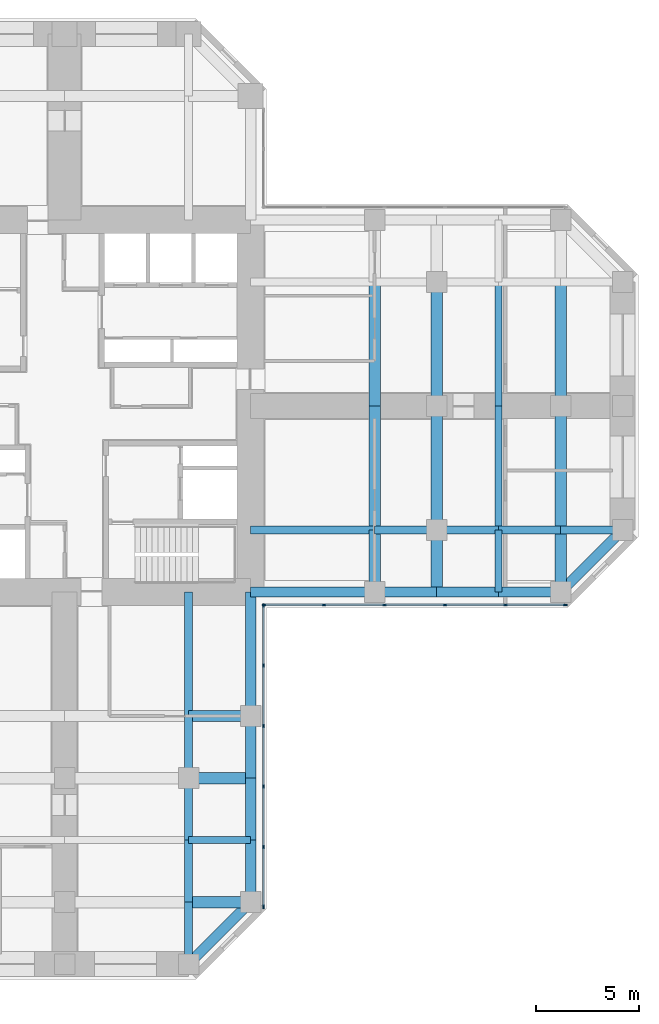
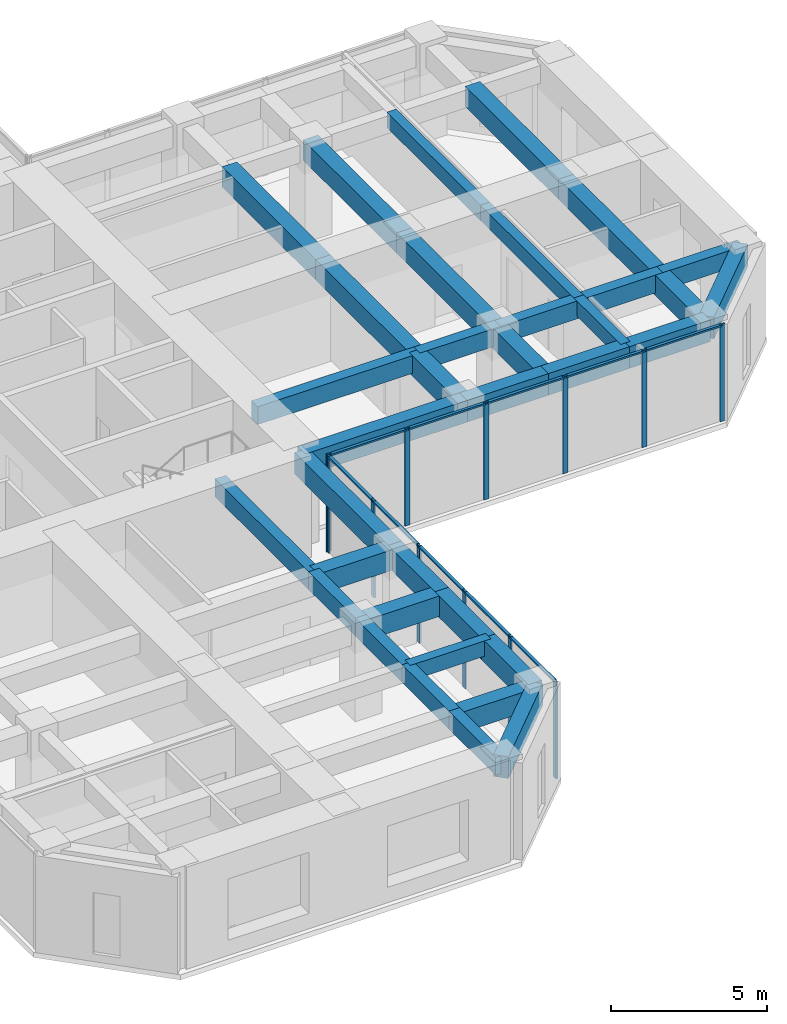
# One storey, part 4 of 12: 36 beams, 22 members, 2 elements without a shape of their own.
"""IFC4 building model written with IfcOpenShell, lengths in metres."""

from ifc_helpers import new_model, si_unit, direction, frame, origin, origin_2d, place, context, subcontext, project, spatial, rectangle, extrude, material, material_profile, profile_set, type_object, element, aggregate, save


model = new_model("IFC4")

# Units and contexts
model_context = context("Model", 3, precision=1e-05, world=origin(), true_north=direction((0.0, 1.0)))
body_context = subcontext(model_context, "Body", "Model", "MODEL_VIEW")
ifc_project = project(units=[si_unit("LENGTHUNIT", "METRE"), si_unit("AREAUNIT", "SQUARE_METRE"), si_unit("VOLUMEUNIT", "CUBIC_METRE"), si_unit("PLANEANGLEUNIT", "RADIAN"), si_unit("MASSUNIT", "GRAM", prefix="KILO")], contexts=[model_context])

# Site, building, storey
site_placement = place(None, origin())
site = spatial("IfcSite", under=ifc_project, at=site_placement, CompositionType="ELEMENT")
building_placement = place(site_placement, origin())
building = spatial("IfcBuilding", under=site, at=building_placement, Name="Torre Cruceta", CompositionType="ELEMENT")
storey_placement = place(building_placement, frame((0.0, 0.0, 104.5)))
storey = spatial("IfcBuildingStorey", under=building, at=storey_placement, Name="L25", CompositionType="ELEMENT", Elevation=104.5)

# Beams
ifc_material_1 = material(Name="Concrete G60 (fck 60 MPa)", Category="concrete")
ifc_material_profile_1 = material_profile(ifc_material_1, rectangle(XDim=0.39990234375, YDim=0.699951171875, at=origin_2d()), Name="RC 400X700")
ifc_profile_set_1 = profile_set([ifc_material_profile_1], Name="Concrete G60 (fck 60 MPa)")
beam_type_1 = type_object("IfcBeamType", Name="COLUMN LINE BEAM RC 400X700", PredefinedType="BEAM", material=ifc_profile_set_1)
beam_1_placement = place(storey_placement, frame((9.0, -6.0, 3.449951171875), z_axis=(1.0, 0.0, 0.0), x_axis=(0.0, 1.0, 0.0)))
element("IfcBeam", 1, at=beam_1_placement, inside=storey, type_object=beam_type_1, Name="LB5 L25 E col- 1", PredefinedType="BEAM", context=body_context, shape_type="SweptSolid", body=[
    extrude(rectangle(XDim=0.39990234375, YDim=0.699951171875, at=origin_2d()), origin(), (0.0, 0.0, 1.0), 6.0),
])
for number, where, z_axis, x_axis, name in (
    (2, (15.0, -6.0, 3.449951171875), (1.0, 0.0, 0.0), (0.0, 1.0, 0.0), "LB5 L25 E col- 2"),
    (3, (18.0, -6.0, 3.449951171875), (1.0, 0.0, 0.0), (0.0, 1.0, 0.0), "LB5 L25 E col- 3"),
    (4, (21.0, -6.0, 3.449951171875), (1.0, 0.0, 0.0), (0.0, 1.0, 0.0), "LB5 L25 E col- 4"),
    (5, (24.0, -6.0, 3.449951171875), (1.0, 0.0, 0.0), (0.0, 1.0, 0.0), "LB5 L25 E col- 5"),
):
    element("IfcBeam", number, at=place(storey_placement, frame(where, z_axis=z_axis, x_axis=x_axis)), inside=storey, type_object=beam_type_1, Name=name, PredefinedType="BEAM", context=body_context, shape_type="SweptSolid", body=[
        extrude(rectangle(XDim=0.39990234375, YDim=0.699951171875, at=origin_2d()), origin(), (0.0, 0.0, 1.0), 3.0),
    ])
beam_2_placement = place(storey_placement, frame((6.0, -9.0, 3.449951171875), z_axis=(0.0, -1.0, 0.0), x_axis=(1.0, 0.0, 0.0)))
element("IfcBeam", 6, at=beam_2_placement, inside=storey, type_object=beam_type_1, Name="LB5 L25 S col+ 1", PredefinedType="BEAM", context=body_context, shape_type="SweptSolid", body=[
    extrude(rectangle(XDim=0.39990234375, YDim=0.699951171875, at=origin_2d()), origin(), (0.0, 0.0, 1.0), 6.0),
])
for number, where, z_axis, x_axis, name in (
    (7, (6.0, -15.0, 3.449951171875), (0.0, -1.0, 0.0), (1.0, 0.0, 0.0), "LB5 L25 S col+ 2"),
    (8, (6.0, -18.0, 3.449951171875), (0.0, -1.0, 0.0), (1.0, 0.0, 0.0), "LB5 L25 S col+ 3"),
    (9, (6.0, -21.0, 3.449951171875), (0.0, -1.0, 0.0), (1.0, 0.0, 0.0), "LB5 L25 S col+ 4"),
    (10, (6.0, -24.0, 3.449951171875), (0.0, -1.0, 0.0), (1.0, 0.0, 0.0), "LB5 L25 S col+ 5"),
):
    element("IfcBeam", number, at=place(storey_placement, frame(where, z_axis=z_axis, x_axis=x_axis)), inside=storey, type_object=beam_type_1, Name=name, PredefinedType="BEAM", context=body_context, shape_type="SweptSolid", body=[
        extrude(rectangle(XDim=0.39990234375, YDim=0.699951171875, at=origin_2d()), origin(), (0.0, 0.0, 1.0), 3.0),
    ])
ifc_material_2 = material(Name="Concrete G60 (fck 60 MPa)", Category="concrete")
ifc_material_profile_2 = material_profile(ifc_material_2, rectangle(XDim=0.550048828125, YDim=0.800048828125, at=origin_2d()), Name="RC 550X800")
ifc_profile_set_2 = profile_set([ifc_material_profile_2], Name="Concrete G60 (fck 60 MPa)")
beam_type_2 = type_object("IfcBeamType", Name="CROSS BEAM RC 550X800", PredefinedType="BEAM", material=ifc_profile_set_2)
beam_3_placement = place(storey_placement, frame((15.0, -9.0, 3.39990234375), z_axis=(0.0, 1.0, 0.0), x_axis=(-1.0, 0.0, 0.0)))
element("IfcBeam", 11, at=beam_3_placement, inside=storey, type_object=beam_type_2, Name="GB5 L25 E cross15 1", PredefinedType="BEAM", context=body_context, shape_type="SweptSolid", body=[
    extrude(rectangle(XDim=0.550048828125, YDim=0.800048828125, at=origin_2d()), origin(), (0.0, 0.0, 1.0), 3.0),
])
for number, where, z_axis, x_axis, name in (
    (12, (15.0, -6.0, 3.39990234375), (0.0, 1.0, 0.0), (-1.0, 0.0, 0.0), "GB5 L25 E cross15 2"),
    (13, (15.0, 0.0, 3.39990234375), (0.0, 1.0, 0.0), (-1.0, 0.0, 0.0), "GB5 L25 E cross15 3"),
):
    element("IfcBeam", number, at=place(storey_placement, frame(where, z_axis=z_axis, x_axis=x_axis)), inside=storey, type_object=beam_type_2, Name=name, PredefinedType="BEAM", context=body_context, shape_type="SweptSolid", body=[
        extrude(rectangle(XDim=0.550048828125, YDim=0.800048828125, at=origin_2d()), origin(), (0.0, 0.0, 1.0), 6.0),
    ])
beam_4_placement = place(storey_placement, frame((18.0, -9.0, 3.39990234375), z_axis=(0.0, 1.0, 0.0), x_axis=(-1.0, 0.0, 0.0)))
element("IfcBeam", 14, at=beam_4_placement, inside=storey, type_object=beam_type_2, Name="GB5 L25 E cross18 1", PredefinedType="BEAM", context=body_context, shape_type="SweptSolid", body=[
    extrude(rectangle(XDim=0.550048828125, YDim=0.800048828125, at=origin_2d()), origin(), (0.0, 0.0, 1.0), 3.0),
])
for number, where, z_axis, x_axis, name in (
    (15, (18.0, -6.0, 3.39990234375), (0.0, 1.0, 0.0), (-1.0, 0.0, 0.0), "GB5 L25 E cross18 2"),
    (16, (18.0, 0.0, 3.39990234375), (0.0, 1.0, 0.0), (-1.0, 0.0, 0.0), "GB5 L25 E cross18 3"),
):
    element("IfcBeam", number, at=place(storey_placement, frame(where, z_axis=z_axis, x_axis=x_axis)), inside=storey, type_object=beam_type_2, Name=name, PredefinedType="BEAM", context=body_context, shape_type="SweptSolid", body=[
        extrude(rectangle(XDim=0.550048828125, YDim=0.800048828125, at=origin_2d()), origin(), (0.0, 0.0, 1.0), 6.0),
    ])
beam_5_placement = place(storey_placement, frame((24.0, -9.0, 3.39990234375), z_axis=(0.0, 1.0, 0.0), x_axis=(-1.0, 0.0, 0.0)))
element("IfcBeam", 17, at=beam_5_placement, inside=storey, type_object=beam_type_2, Name="GB5 L25 E cross24 1", PredefinedType="BEAM", context=body_context, shape_type="SweptSolid", body=[
    extrude(rectangle(XDim=0.550048828125, YDim=0.800048828125, at=origin_2d()), origin(), (0.0, 0.0, 1.0), 3.0),
])
for number, where, z_axis, x_axis, name in (
    (18, (24.0, -6.0, 3.39990234375), (0.0, 1.0, 0.0), (-1.0, 0.0, 0.0), "GB5 L25 E cross24 2"),
    (19, (24.0, 0.0, 3.39990234375), (0.0, 1.0, 0.0), (-1.0, 0.0, 0.0), "GB5 L25 E cross24 3"),
):
    element("IfcBeam", number, at=place(storey_placement, frame(where, z_axis=z_axis, x_axis=x_axis)), inside=storey, type_object=beam_type_2, Name=name, PredefinedType="BEAM", context=body_context, shape_type="SweptSolid", body=[
        extrude(rectangle(XDim=0.550048828125, YDim=0.800048828125, at=origin_2d()), origin(), (0.0, 0.0, 1.0), 6.0),
    ])
for number, where, z_axis, x_axis, name in (
    (20, (6.0, -15.0, 3.39990234375), (1.0, 0.0, 0.0), (0.0, 1.0, 0.0), "GB5 L25 S cross15 4"),
    (21, (6.0, -18.0, 3.39990234375), (1.0, 0.0, 0.0), (0.0, 1.0, 0.0), "GB5 L25 S cross18 4"),
    (22, (6.0, -24.0, 3.39990234375), (1.0, 0.0, 0.0), (0.0, 1.0, 0.0), "GB5 L25 S cross24 4"),
):
    element("IfcBeam", number, at=place(storey_placement, frame(where, z_axis=z_axis, x_axis=x_axis)), inside=storey, type_object=beam_type_2, Name=name, PredefinedType="BEAM", context=body_context, shape_type="SweptSolid", body=[
        extrude(rectangle(XDim=0.550048828125, YDim=0.800048828125, at=origin_2d()), origin(), (0.0, 0.0, 1.0), 3.0),
    ])

# Curtain wall, members
ifc_material_3 = material(Name="Aluminium unitised curtain wall", Category="aluminium")
curtain_wall_type = type_object("IfcCurtainWallType", Name="CURTAIN WALL CW-B OFFICE MID RISE", PredefinedType="USERDEFINED", material=ifc_material_3)
curtain_wall_1_placement = place(storey_placement, origin())
curtain_wall_1 = element("IfcCurtainWall", 23, at=curtain_wall_1_placement, inside=storey, type_object=curtain_wall_type, Name="CW-B L25 E side 00", ObjectType="UNITISED", PredefinedType="USERDEFINED")
ifc_material_4 = material(Name="Aluminium mullion", Category="aluminium")
ifc_material_profile_3 = material_profile(ifc_material_4, rectangle(XDim=0.06494140625, YDim=0.179931640625, at=origin_2d()), Name="AL 65X180")
ifc_profile_set_3 = profile_set([ifc_material_profile_3], Name="Aluminium mullion")
member_type_1 = type_object("IfcMemberType", Name="CW-B MULLION 65X180", PredefinedType="MULLION", material=ifc_profile_set_3)
member_1_placement = place(storey_placement, frame((9.652587890625, -9.6201171875, 0.0), z_axis=(0.0, 0.0, 1.0), x_axis=(0.0, 1.0, 0.0)))
member_1 = element("IfcMember", 24, at=member_1_placement, type_object=member_type_1, Name="CW-B mullion 1", PredefinedType="MULLION", context=body_context, shape_type="SweptSolid", body=[
    extrude(rectangle(XDim=0.06494140625, YDim=0.179931640625, at=origin_2d()), origin(), (0.0, 0.0, 1.0), 3.800048828125),
])
member_2_placement = place(storey_placement, frame((12.54736328125, -9.6201171875, 0.0), z_axis=(0.0, 0.0, 1.0), x_axis=(0.0, 1.0, 0.0)))
member_2 = element("IfcMember", 25, at=member_2_placement, type_object=member_type_1, Name="CW-B mullion 2", PredefinedType="MULLION", context=body_context, shape_type="SweptSolid", body=[
    extrude(rectangle(XDim=0.06494140625, YDim=0.179931640625, at=origin_2d()), origin(), (0.0, 0.0, 1.0), 3.800048828125),
])
member_3_placement = place(storey_placement, frame((15.474609375, -9.6201171875, 0.0), z_axis=(0.0, 0.0, 1.0), x_axis=(0.0, 1.0, 0.0)))
member_3 = element("IfcMember", 26, at=member_3_placement, type_object=member_type_1, Name="CW-B mullion 3", PredefinedType="MULLION", context=body_context, shape_type="SweptSolid", body=[
    extrude(rectangle(XDim=0.06494140625, YDim=0.179931640625, at=origin_2d()), origin(), (0.0, 0.0, 1.0), 3.800048828125),
])
member_4_placement = place(storey_placement, frame((18.402099609375, -9.6201171875, 0.0), z_axis=(0.0, 0.0, 1.0), x_axis=(0.0, 1.0, 0.0)))
member_4 = element("IfcMember", 27, at=member_4_placement, type_object=member_type_1, Name="CW-B mullion 4", PredefinedType="MULLION", context=body_context, shape_type="SweptSolid", body=[
    extrude(rectangle(XDim=0.06494140625, YDim=0.179931640625, at=origin_2d()), origin(), (0.0, 0.0, 1.0), 3.800048828125),
])
member_5_placement = place(storey_placement, frame((21.329345703125, -9.6201171875, 0.0), z_axis=(0.0, 0.0, 1.0), x_axis=(0.0, 1.0, 0.0)))
member_5 = element("IfcMember", 28, at=member_5_placement, type_object=member_type_1, Name="CW-B mullion 5", PredefinedType="MULLION", context=body_context, shape_type="SweptSolid", body=[
    extrude(rectangle(XDim=0.06494140625, YDim=0.179931640625, at=origin_2d()), origin(), (0.0, 0.0, 1.0), 3.800048828125),
])
member_6_placement = place(storey_placement, frame((24.224365234375, -9.6201171875, 0.0), z_axis=(0.0, 0.0, 1.0), x_axis=(0.0, 1.0, 0.0)))
member_6 = element("IfcMember", 29, at=member_6_placement, type_object=member_type_1, Name="CW-B mullion 6", PredefinedType="MULLION", context=body_context, shape_type="SweptSolid", body=[
    extrude(rectangle(XDim=0.06494140625, YDim=0.179931640625, at=origin_2d()), origin(), (0.0, 0.0, 1.0), 3.800048828125),
])

curtain_wall_2_placement = place(storey_placement, origin())
curtain_wall_2 = element("IfcCurtainWall", 30, at=curtain_wall_2_placement, inside=storey, type_object=curtain_wall_type, Name="CW-B L25 S side 19", ObjectType="UNITISED", PredefinedType="USERDEFINED")
member_7_placement = place(storey_placement, frame((9.6201171875, -24.224365234375, 0.0), z_axis=(0.0, 0.0, 1.0), x_axis=(-1.0, 0.0, 0.0)))
member_7 = element("IfcMember", 31, at=member_7_placement, type_object=member_type_1, Name="CW-B mullion 1", PredefinedType="MULLION", context=body_context, shape_type="SweptSolid", body=[
    extrude(rectangle(XDim=0.06494140625, YDim=0.179931640625, at=origin_2d()), origin(), (0.0, 0.0, 1.0), 3.800048828125),
])
member_8_placement = place(storey_placement, frame((9.6201171875, -21.329345703125, 0.0), z_axis=(0.0, 0.0, 1.0), x_axis=(-1.0, 0.0, 0.0)))
member_8 = element("IfcMember", 32, at=member_8_placement, type_object=member_type_1, Name="CW-B mullion 2", PredefinedType="MULLION", context=body_context, shape_type="SweptSolid", body=[
    extrude(rectangle(XDim=0.06494140625, YDim=0.179931640625, at=origin_2d()), origin(), (0.0, 0.0, 1.0), 3.800048828125),
])
member_9_placement = place(storey_placement, frame((9.6201171875, -18.402099609375, 0.0), z_axis=(0.0, 0.0, 1.0), x_axis=(-1.0, 0.0, 0.0)))
member_9 = element("IfcMember", 33, at=member_9_placement, type_object=member_type_1, Name="CW-B mullion 3", PredefinedType="MULLION", context=body_context, shape_type="SweptSolid", body=[
    extrude(rectangle(XDim=0.06494140625, YDim=0.179931640625, at=origin_2d()), origin(), (0.0, 0.0, 1.0), 3.800048828125),
])
member_10_placement = place(storey_placement, frame((9.6201171875, -15.474609375, 0.0), z_axis=(0.0, 0.0, 1.0), x_axis=(-1.0, 0.0, 0.0)))
member_10 = element("IfcMember", 34, at=member_10_placement, type_object=member_type_1, Name="CW-B mullion 4", PredefinedType="MULLION", context=body_context, shape_type="SweptSolid", body=[
    extrude(rectangle(XDim=0.06494140625, YDim=0.179931640625, at=origin_2d()), origin(), (0.0, 0.0, 1.0), 3.800048828125),
])
member_11_placement = place(storey_placement, frame((9.6201171875, -12.54736328125, 0.0), z_axis=(0.0, 0.0, 1.0), x_axis=(-1.0, 0.0, 0.0)))
member_11 = element("IfcMember", 35, at=member_11_placement, type_object=member_type_1, Name="CW-B mullion 5", PredefinedType="MULLION", context=body_context, shape_type="SweptSolid", body=[
    extrude(rectangle(XDim=0.06494140625, YDim=0.179931640625, at=origin_2d()), origin(), (0.0, 0.0, 1.0), 3.800048828125),
])
member_12_placement = place(storey_placement, frame((9.6201171875, -9.652587890625, 0.0), z_axis=(0.0, 0.0, 1.0), x_axis=(-1.0, 0.0, 0.0)))
member_12 = element("IfcMember", 36, at=member_12_placement, type_object=member_type_1, Name="CW-B mullion 6", PredefinedType="MULLION", context=body_context, shape_type="SweptSolid", body=[
    extrude(rectangle(XDim=0.06494140625, YDim=0.179931640625, at=origin_2d()), origin(), (0.0, 0.0, 1.0), 3.800048828125),
])

# Member
ifc_material_5 = material(Name="Aluminium transom", Category="aluminium")
ifc_material_profile_4 = material_profile(ifc_material_5, rectangle(XDim=0.110107421875, YDim=0.06494140625, at=origin_2d()), Name="AL 110X65")
ifc_profile_set_4 = profile_set([ifc_material_profile_4], Name="Aluminium transom")
member_type_2 = type_object("IfcMemberType", Name="CW-B TRANSOM 65X110", PredefinedType="USERDEFINED", material=ifc_profile_set_4)
member_13_placement = place(storey_placement, frame((9.68505859375, -9.6201171875, 3.767578125), z_axis=(1.0, 0.0, 0.0), x_axis=(0.0, 1.0, 0.0)))
member_13 = element("IfcMember", 37, at=member_13_placement, type_object=member_type_2, Name="CW-B transom 1", ObjectType="TRANSOM", PredefinedType="USERDEFINED", context=body_context, shape_type="SweptSolid", body=[
    extrude(rectangle(XDim=0.110107421875, YDim=0.06494140625, at=origin_2d()), origin(), (0.0, 0.0, 1.0), 2.829833984375),
])

member_14_placement = place(storey_placement, frame((12.579833984375, -9.6201171875, 3.767578125), z_axis=(1.0, 0.0, 0.0), x_axis=(0.0, 1.0, 0.0)))
member_14 = element("IfcMember", 38, at=member_14_placement, type_object=member_type_2, Name="CW-B transom 2", ObjectType="TRANSOM", PredefinedType="USERDEFINED", context=body_context, shape_type="SweptSolid", body=[
    extrude(rectangle(XDim=0.110107421875, YDim=0.06494140625, at=origin_2d()), origin(), (0.0, 0.0, 1.0), 2.8623046875),
])

member_15_placement = place(storey_placement, frame((15.50732421875, -9.6201171875, 3.767578125), z_axis=(1.0, 0.0, 0.0), x_axis=(0.0, 1.0, 0.0)))
member_15 = element("IfcMember", 39, at=member_15_placement, type_object=member_type_2, Name="CW-B transom 3", ObjectType="TRANSOM", PredefinedType="USERDEFINED", context=body_context, shape_type="SweptSolid", body=[
    extrude(rectangle(XDim=0.110107421875, YDim=0.06494140625, at=origin_2d()), origin(), (0.0, 0.0, 1.0), 2.8623046875),
])

member_16_placement = place(storey_placement, frame((18.4345703125, -9.6201171875, 3.767578125), z_axis=(1.0, 0.0, 0.0), x_axis=(0.0, 1.0, 0.0)))
member_16 = element("IfcMember", 40, at=member_16_placement, type_object=member_type_2, Name="CW-B transom 4", ObjectType="TRANSOM", PredefinedType="USERDEFINED", context=body_context, shape_type="SweptSolid", body=[
    extrude(rectangle(XDim=0.110107421875, YDim=0.06494140625, at=origin_2d()), origin(), (0.0, 0.0, 1.0), 2.8623046875),
])

member_17_placement = place(storey_placement, frame((21.362060546875, -9.6201171875, 3.767578125), z_axis=(1.0, 0.0, 0.0), x_axis=(0.0, 1.0, 0.0)))
member_17 = element("IfcMember", 41, at=member_17_placement, type_object=member_type_2, Name="CW-B transom 5", ObjectType="TRANSOM", PredefinedType="USERDEFINED", context=body_context, shape_type="SweptSolid", body=[
    extrude(rectangle(XDim=0.110107421875, YDim=0.06494140625, at=origin_2d()), origin(), (0.0, 0.0, 1.0), 2.829833984375),
])

aggregate(curtain_wall_1, [member_1, member_2, member_3, member_4, member_5, member_6, member_13, member_14, member_15, member_16, member_17])

member_18_placement = place(storey_placement, frame((9.6201171875, -24.19189453125, 3.767578125), z_axis=(0.0, 1.0, 0.0), x_axis=(-1.0, 0.0, 0.0)))
member_18 = element("IfcMember", 42, at=member_18_placement, type_object=member_type_2, Name="CW-B transom 1", ObjectType="TRANSOM", PredefinedType="USERDEFINED", context=body_context, shape_type="SweptSolid", body=[
    extrude(rectangle(XDim=0.110107421875, YDim=0.06494140625, at=origin_2d()), origin(), (0.0, 0.0, 1.0), 2.829833984375),
])

member_19_placement = place(storey_placement, frame((9.6201171875, -21.296875, 3.767578125), z_axis=(0.0, 1.0, 0.0), x_axis=(-1.0, 0.0, 0.0)))
member_19 = element("IfcMember", 43, at=member_19_placement, type_object=member_type_2, Name="CW-B transom 2", ObjectType="TRANSOM", PredefinedType="USERDEFINED", context=body_context, shape_type="SweptSolid", body=[
    extrude(rectangle(XDim=0.110107421875, YDim=0.06494140625, at=origin_2d()), origin(), (0.0, 0.0, 1.0), 2.8623046875),
])

member_20_placement = place(storey_placement, frame((9.6201171875, -18.36962890625, 3.767578125), z_axis=(0.0, 1.0, 0.0), x_axis=(-1.0, 0.0, 0.0)))
member_20 = element("IfcMember", 44, at=member_20_placement, type_object=member_type_2, Name="CW-B transom 3", ObjectType="TRANSOM", PredefinedType="USERDEFINED", context=body_context, shape_type="SweptSolid", body=[
    extrude(rectangle(XDim=0.110107421875, YDim=0.06494140625, at=origin_2d()), origin(), (0.0, 0.0, 1.0), 2.8623046875),
])

member_21_placement = place(storey_placement, frame((9.6201171875, -15.442138671875, 3.767578125), z_axis=(0.0, 1.0, 0.0), x_axis=(-1.0, 0.0, 0.0)))
member_21 = element("IfcMember", 45, at=member_21_placement, type_object=member_type_2, Name="CW-B transom 4", ObjectType="TRANSOM", PredefinedType="USERDEFINED", context=body_context, shape_type="SweptSolid", body=[
    extrude(rectangle(XDim=0.110107421875, YDim=0.06494140625, at=origin_2d()), origin(), (0.0, 0.0, 1.0), 2.8623046875),
])

member_22_placement = place(storey_placement, frame((9.6201171875, -12.514892578125, 3.767578125), z_axis=(0.0, 1.0, 0.0), x_axis=(-1.0, 0.0, 0.0)))
member_22 = element("IfcMember", 46, at=member_22_placement, type_object=member_type_2, Name="CW-B transom 5", ObjectType="TRANSOM", PredefinedType="USERDEFINED", context=body_context, shape_type="SweptSolid", body=[
    extrude(rectangle(XDim=0.110107421875, YDim=0.06494140625, at=origin_2d()), origin(), (0.0, 0.0, 1.0), 2.829833984375),
])

aggregate(curtain_wall_2, [member_7, member_8, member_9, member_10, member_11, member_12, member_18, member_19, member_20, member_21, member_22])

# Beams
ifc_material_6 = material(Name="Concrete G60 (fck 60 MPa)", Category="concrete")
ifc_material_profile_5 = material_profile(ifc_material_6, rectangle(XDim=0.35009765625, YDim=0.60009765625, at=origin_2d()), Name="RC 350X600")
ifc_profile_set_5 = profile_set([ifc_material_profile_5], Name="Concrete G60 (fck 60 MPa)")
beam_type_3 = type_object("IfcBeamType", Name="SECONDARY BEAM RC 350X600", PredefinedType="JOIST", material=ifc_profile_set_5)
beam_6_placement = place(storey_placement, frame((21.0, -9.0, 3.5), z_axis=(0.0, 1.0, 0.0), x_axis=(-1.0, 0.0, 0.0)))
element("IfcBeam", 47, at=beam_6_placement, inside=storey, type_object=beam_type_3, Name="JB5 L25 E sec21 1", PredefinedType="JOIST", context=body_context, shape_type="SweptSolid", body=[
    extrude(rectangle(XDim=0.35009765625, YDim=0.60009765625, at=origin_2d()), origin(), (0.0, 0.0, 1.0), 3.0),
])
for number, where, z_axis, x_axis, name in (
    (48, (21.0, -6.0, 3.5), (0.0, 1.0, 0.0), (-1.0, 0.0, 0.0), "JB5 L25 E sec21 2"),
    (49, (21.0, 0.0, 3.5), (0.0, 1.0, 0.0), (-1.0, 0.0, 0.0), "JB5 L25 E sec21 3"),
):
    element("IfcBeam", number, at=place(storey_placement, frame(where, z_axis=z_axis, x_axis=x_axis)), inside=storey, type_object=beam_type_3, Name=name, PredefinedType="JOIST", context=body_context, shape_type="SweptSolid", body=[
        extrude(rectangle(XDim=0.35009765625, YDim=0.60009765625, at=origin_2d()), origin(), (0.0, 0.0, 1.0), 6.0),
    ])
beam_7_placement = place(storey_placement, frame((6.0, -21.0, 3.5), z_axis=(1.0, 0.0, 0.0), x_axis=(0.0, 1.0, 0.0)))
element("IfcBeam", 50, at=beam_7_placement, inside=storey, type_object=beam_type_3, Name="JB5 L25 S sec21 4", PredefinedType="JOIST", context=body_context, shape_type="SweptSolid", body=[
    extrude(rectangle(XDim=0.35009765625, YDim=0.60009765625, at=origin_2d()), origin(), (0.0, 0.0, 1.0), 3.0),
])
ifc_material_7 = material(Name="Concrete G60 (fck 60 MPa)", Category="concrete")
ifc_material_profile_6 = material_profile(ifc_material_7, rectangle(XDim=0.5, YDim=0.85009765625, at=origin_2d()), Name="RC 500X850")
ifc_profile_set_6 = profile_set([ifc_material_profile_6], Name="Concrete G60 (fck 60 MPa)")
beam_type_4 = type_object("IfcBeamType", Name="SPANDREL BEAM RC 500X850", PredefinedType="SPANDREL", material=ifc_profile_set_6)
beam_8_placement = place(storey_placement, frame((9.0, -9.0, 3.375), z_axis=(1.0, 0.0, 0.0), x_axis=(0.0, 1.0, 0.0)))
element("IfcBeam", 51, at=beam_8_placement, inside=storey, type_object=beam_type_4, Name="SB5 L25 E side- 1", PredefinedType="SPANDREL", context=body_context, shape_type="SweptSolid", body=[
    extrude(rectangle(XDim=0.5, YDim=0.85009765625, at=origin_2d()), origin(), (0.0, 0.0, 1.0), 6.0),
])
for number, where, z_axis, x_axis, name in (
    (52, (15.0, -9.0, 3.375), (1.0, 0.0, 0.0), (0.0, 1.0, 0.0), "SB5 L25 E side- 2"),
    (53, (18.0, -9.0, 3.375), (1.0, 0.0, 0.0), (0.0, 1.0, 0.0), "SB5 L25 E side- 3"),
    (54, (21.0, -9.0, 3.375), (1.0, 0.0, 0.0), (0.0, 1.0, 0.0), "SB5 L25 E side- 4"),
):
    element("IfcBeam", number, at=place(storey_placement, frame(where, z_axis=z_axis, x_axis=x_axis)), inside=storey, type_object=beam_type_4, Name=name, PredefinedType="SPANDREL", context=body_context, shape_type="SweptSolid", body=[
        extrude(rectangle(XDim=0.5, YDim=0.85009765625, at=origin_2d()), origin(), (0.0, 0.0, 1.0), 3.0),
    ])
beam_9_placement = place(storey_placement, frame((24.0, -9.0, 3.375), z_axis=(0.707106781187, 0.707106781187, 0.0), x_axis=(-0.707106781187, 0.707106781187, 0.0)))
element("IfcBeam", 55, at=beam_9_placement, inside=storey, type_object=beam_type_4, Name="SB5 L25 E side- 5", PredefinedType="SPANDREL", context=body_context, shape_type="SweptSolid", body=[
    extrude(rectangle(XDim=0.5, YDim=0.85009765625, at=origin_2d()), origin(), (0.0, 0.0, 1.0), 4.24267578125),
])
beam_10_placement = place(storey_placement, frame((9.0, -9.0, 3.375), z_axis=(0.0, -1.0, 0.0), x_axis=(1.0, 0.0, 0.0)))
element("IfcBeam", 56, at=beam_10_placement, inside=storey, type_object=beam_type_4, Name="SB5 L25 S side+ 1", PredefinedType="SPANDREL", context=body_context, shape_type="SweptSolid", body=[
    extrude(rectangle(XDim=0.5, YDim=0.85009765625, at=origin_2d()), origin(), (0.0, 0.0, 1.0), 6.0),
])
for number, where, z_axis, x_axis, name in (
    (57, (9.0, -15.0, 3.375), (0.0, -1.0, 0.0), (1.0, 0.0, 0.0), "SB5 L25 S side+ 2"),
    (58, (9.0, -18.0, 3.375), (0.0, -1.0, 0.0), (1.0, 0.0, 0.0), "SB5 L25 S side+ 3"),
    (59, (9.0, -21.0, 3.375), (0.0, -1.0, 0.0), (1.0, 0.0, 0.0), "SB5 L25 S side+ 4"),
):
    element("IfcBeam", number, at=place(storey_placement, frame(where, z_axis=z_axis, x_axis=x_axis)), inside=storey, type_object=beam_type_4, Name=name, PredefinedType="SPANDREL", context=body_context, shape_type="SweptSolid", body=[
        extrude(rectangle(XDim=0.5, YDim=0.85009765625, at=origin_2d()), origin(), (0.0, 0.0, 1.0), 3.0),
    ])
beam_11_placement = place(storey_placement, frame((9.0, -24.0, 3.375), z_axis=(-0.707106781187, -0.707106781187, 0.0), x_axis=(0.707106781187, -0.707106781187, 0.0)))
element("IfcBeam", 60, at=beam_11_placement, inside=storey, type_object=beam_type_4, Name="SB5 L25 S side+ 5", PredefinedType="SPANDREL", context=body_context, shape_type="SweptSolid", body=[
    extrude(rectangle(XDim=0.5, YDim=0.85009765625, at=origin_2d()), origin(), (0.0, 0.0, 1.0), 4.24267578125),
])

save(model, "model.ifc")
